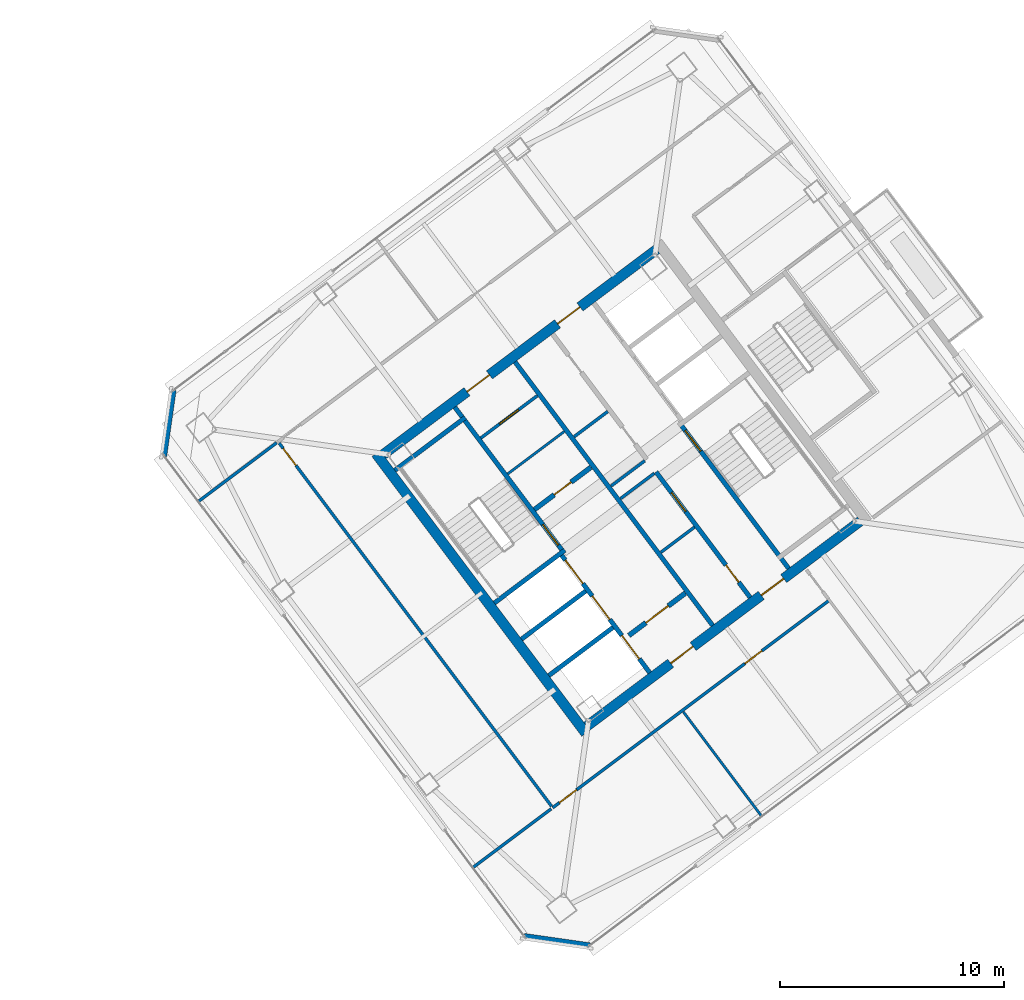
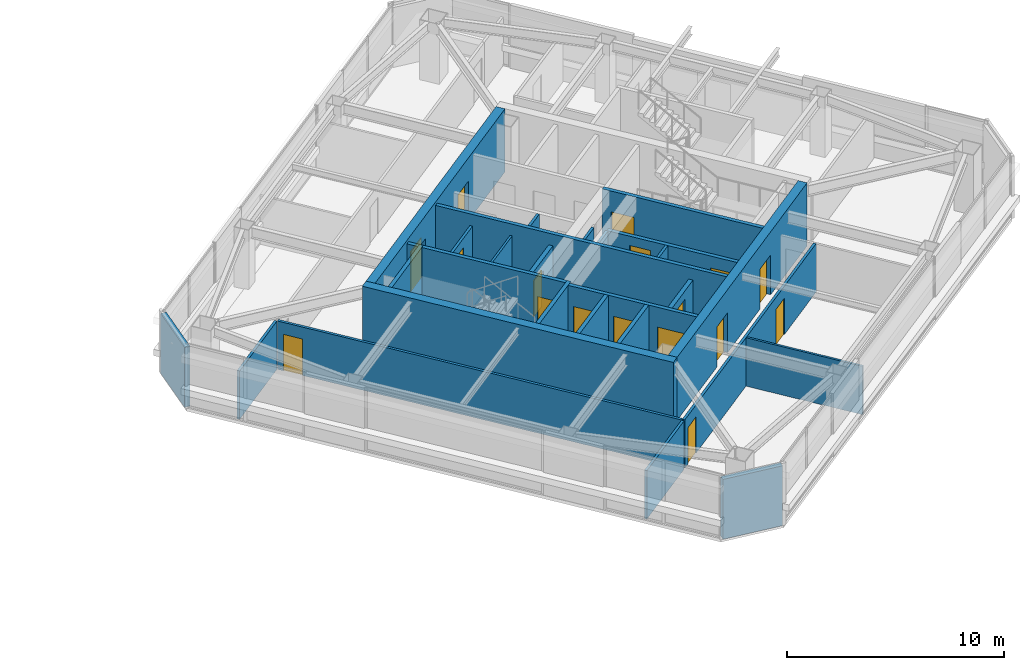
# One storey, part 31 of 39: 27 walls, 17 doors, 17 openings.
"""IFC4 building model written with IfcOpenShell, lengths in metres."""

from ifc_helpers import new_model, si_unit, direction, frame, frame_2d, origin, place, context, subcontext, project, spatial, rectangle, extrude, material, layer, layer_set, type_object, element, fill, save


model = new_model("IFC4")

# Units and contexts
model_context = context("Model", 3, precision=1e-05, world=origin(), true_north=direction((0.0, 1.0)))
body_context = subcontext(model_context, "Body", "Model", "MODEL_VIEW")
ifc_project = project(units=[si_unit("LENGTHUNIT", "METRE"), si_unit("AREAUNIT", "SQUARE_METRE"), si_unit("VOLUMEUNIT", "CUBIC_METRE"), si_unit("PLANEANGLEUNIT", "RADIAN"), si_unit("MASSUNIT", "GRAM", prefix="KILO")], contexts=[model_context])

# Site, building, storey
site_placement = place(None, origin())
site = spatial("IfcSite", under=ifc_project, at=site_placement, CompositionType="ELEMENT")
building_placement = place(site_placement, origin())
building = spatial("IfcBuilding", under=site, at=building_placement, Name="Tashvorn Skyway Center", CompositionType="ELEMENT")
storey_placement = place(building_placement, frame((0.0, 0.0, 214.85009765625)))
storey = spatial("IfcBuildingStorey", under=building, at=storey_placement, Name="L58", CompositionType="ELEMENT", Elevation=214.85009765625)

# Wall
ifc_material_1 = material(Name="Concrete C50/60", Category="concrete")
ifc_layer_1 = layer(ifc_material_1, 0.449951171875)
ifc_layer_set_1 = layer_set([ifc_layer_1], Name="Concrete C50/60")
wall_type_1 = type_object("IfcWallType", Name="WALL-CORE-450", PredefinedType="SHEAR", material=ifc_layer_set_1)
wall_1_placement = place(storey_placement, frame((112.39599609375, 21.047119140625, 0.0), z_axis=(0.0, 0.0, 1.0), x_axis=(-0.600005007985, 0.799996243986, 0.0)))
element("IfcWall", 1, at=wall_1_placement, inside=storey, type_object=wall_type_1, Name="Tower 2 L58 West Core Shear Wall", PredefinedType="SHEAR", context=body_context, shape_type="SweptSolid", body=[
    extrude(rectangle(XDim=15.60009765625, YDim=0.449951171875, at=frame_2d((7.800048828125, 0.0))), origin(), (0.0, 0.0, 1.0), 3.5498046875),
])

# Wall, openings, doors
wall_2_placement = place(storey_placement, frame((124.64892578125, 30.51806640625, 0.0), z_axis=(0.0, 0.0, 1.0), x_axis=(-0.8, -0.6, 0.0)))
wall_2 = element("IfcWall", 2, at=wall_2_placement, inside=storey, type_object=wall_type_1, Name="Tower 2 L58 South Core Shear Wall", PredefinedType="SHEAR", context=body_context, shape_type="SweptSolid", body=[
    extrude(rectangle(XDim=15.260009765625, YDim=0.449951171875, at=frame_2d((7.6298828125, 0.0))), origin(), (0.0, 0.0, 1.0), 3.5498046875),
])
opening_1_placement = place(wall_2_placement, frame((9.330078125, 0.0, 0.0)))
opening_1 = element("IfcOpeningElement", 3, at=opening_1_placement, cuts=wall_2, Name="Opening D-FFL-1250", PredefinedType="OPENING", context=body_context, shape_type="SweptSolid", body=[
    extrude(rectangle(XDim=1.25, YDim=2.25, at=frame_2d((0.625, 1.125))), frame((0.0, 0.23486328125, 0.0), z_axis=(0.0, -1.0, 0.0), x_axis=(1.0, 0.0, 0.0)), (0.0, 0.0, 1.0), 0.469970703125),
])
opening_2_placement = place(wall_2_placement, frame((4.280029296875, 0.0, 0.0)))
opening_2 = element("IfcOpeningElement", 4, at=opening_2_placement, cuts=wall_2, Name="Opening D-FFL-1250", PredefinedType="OPENING", context=body_context, shape_type="SweptSolid", body=[
    extrude(rectangle(XDim=1.25, YDim=2.25, at=frame_2d((0.625, 1.125))), frame((0.0, 0.23486328125, 0.0), z_axis=(0.0, -1.0, 0.0), x_axis=(1.0, 0.0, 0.0)), (0.0, 0.0, 1.0), 0.469970703125),
])
ifc_material_2 = material(Name="Hollow galvanized steel fire door assembly", Category="steel")
door_type_1 = type_object("IfcDoorType", Name="DOOR-FFL-1250", OperationType="NOTDEFINED", PredefinedType="DOOR", material=ifc_material_2)
door_1_placement = place(opening_1_placement, origin())
door_1 = element("IfcDoor", 5, at=door_1_placement, inside=storey, type_object=door_type_1, Name="Tower 2 L58 Core South Firefighting Exit Door", OperationType="SINGLE_SWING_LEFT", OverallHeight=2.25, OverallWidth=1.25, PredefinedType="DOOR", context=body_context, shape_type="SweptSolid", body=[
    extrude(rectangle(XDim=1.25, YDim=2.25, at=frame_2d((0.625, 1.125))), frame((0.0, 0.02490234375, 0.0), z_axis=(0.0, -1.0, 0.0), x_axis=(1.0, 0.0, 0.0)), (0.0, 0.0, 1.0), 0.050048828125),
])
fill(opening_1, door_1)
door_2_placement = place(opening_2_placement, origin())
door_2 = element("IfcDoor", 6, at=door_2_placement, inside=storey, type_object=door_type_1, Name="Tower 2 L58 Core South Lift Lobby Door", OperationType="SINGLE_SWING_RIGHT", OverallHeight=2.25, OverallWidth=1.25, PredefinedType="DOOR", context=body_context, shape_type="SweptSolid", body=[
    extrude(rectangle(XDim=1.25, YDim=2.25, at=frame_2d((0.625, 1.125))), frame((0.0, 0.02490234375, 0.0), z_axis=(0.0, -1.0, 0.0), x_axis=(1.0, 0.0, 0.0)), (0.0, 0.0, 1.0), 0.050048828125),
])
fill(opening_2, door_2)

wall_3_placement = place(storey_placement, frame((103.35107421875, 33.48193359375, 0.0), z_axis=(0.0, 0.0, 1.0), x_axis=(0.8, 0.6, 0.0)))
wall_3 = element("IfcWall", 7, at=wall_3_placement, inside=storey, type_object=wall_type_1, Name="Tower 2 L58 North Core Shear Wall", PredefinedType="SHEAR", context=body_context, shape_type="SweptSolid", body=[
    extrude(rectangle(XDim=15.260009765625, YDim=0.449951171875, at=frame_2d((7.6298828125, 0.0))), origin(), (0.0, 0.0, 1.0), 3.5498046875),
])
opening_3_placement = place(wall_3_placement, frame((4.679931640625, 0.0, 0.0)))
opening_3 = element("IfcOpeningElement", 8, at=opening_3_placement, cuts=wall_3, Name="Opening D-FFL-1250", PredefinedType="OPENING", context=body_context, shape_type="SweptSolid", body=[
    extrude(rectangle(XDim=1.25, YDim=2.25, at=frame_2d((0.625, 1.125))), frame((0.0, 0.23486328125, 0.0), z_axis=(0.0, -1.0, 0.0), x_axis=(1.0, 0.0, 0.0)), (0.0, 0.0, 1.0), 0.469970703125),
])
opening_4_placement = place(wall_3_placement, frame((9.72998046875, 0.0, 0.0)))
opening_4 = element("IfcOpeningElement", 9, at=opening_4_placement, cuts=wall_3, Name="Opening D-FFL-1250", PredefinedType="OPENING", context=body_context, shape_type="SweptSolid", body=[
    extrude(rectangle(XDim=1.25, YDim=2.25, at=frame_2d((0.625, 1.125))), frame((0.0, 0.23486328125, 0.0), z_axis=(0.0, -1.0, 0.0), x_axis=(1.0, 0.0, 0.0)), (0.0, 0.0, 1.0), 0.469970703125),
])
door_3_placement = place(opening_3_placement, origin())
door_3 = element("IfcDoor", 10, at=door_3_placement, inside=storey, type_object=door_type_1, Name="Tower 2 L58 Core North Service Lobby Door", OperationType="SINGLE_SWING_LEFT", OverallHeight=2.25, OverallWidth=1.25, PredefinedType="DOOR", context=body_context, shape_type="SweptSolid", body=[
    extrude(rectangle(XDim=1.25, YDim=2.25, at=frame_2d((0.625, 1.125))), frame((0.0, 0.02490234375, 0.0), z_axis=(0.0, -1.0, 0.0), x_axis=(1.0, 0.0, 0.0)), (0.0, 0.0, 1.0), 0.050048828125),
])
fill(opening_3, door_3)
door_4_placement = place(opening_4_placement, origin())
door_4 = element("IfcDoor", 11, at=door_4_placement, inside=storey, type_object=door_type_1, Name="Tower 2 L58 Core North Lift Lobby Door", OperationType="SINGLE_SWING_RIGHT", OverallHeight=2.25, OverallWidth=1.25, PredefinedType="DOOR", context=body_context, shape_type="SweptSolid", body=[
    extrude(rectangle(XDim=1.25, YDim=2.25, at=frame_2d((0.625, 1.125))), frame((0.0, 0.02490234375, 0.0), z_axis=(0.0, -1.0, 0.0), x_axis=(1.0, 0.0, 0.0)), (0.0, 0.0, 1.0), 0.050048828125),
])
fill(opening_4, door_4)

# Walls
ifc_material_3 = material(Name="Precast concrete C40/50", Category="concrete")
ifc_layer_2 = layer(ifc_material_3, 0.280029296875)
ifc_layer_set_2 = layer_set([ifc_layer_2], Name="Precast concrete C40/50")
wall_type_2 = type_object("IfcWallType", Name="WALL-EXT-280", PredefinedType="SOLIDWALL", material=ifc_layer_set_2)
for number, where, z_axis, x_axis, name in (
    (12, (112.580078125, 11.56005859375, 0.0), (0.0, 0.0, 1.0), (-0.989954425158, 0.14138683146, 0.0), "Tower 2 L58 SW Precast Chamfer Wall"),
    (13, (93.56005859375, 33.419921875, 0.0), (0.0, 0.0, 1.0), (0.14138683146, 0.989954425158, 0.0), "Tower 2 L58 NW Precast Chamfer Wall"),
):
    element("IfcWall", number, at=place(storey_placement, frame(where, z_axis=z_axis, x_axis=x_axis)), inside=storey, type_object=wall_type_2, Name=name, PredefinedType="SOLIDWALL", context=body_context, shape_type="SweptSolid", body=[
        extrude(rectangle(XDim=2.969970703125, YDim=0.280029296875, at=frame_2d((1.48486328125, 0.0))), origin(), (0.0, 0.0, 1.0), 3.369873046875),
    ])

# Wall, opening, door
ifc_material_4 = material(Name="Concrete C40/50", Category="concrete")
ifc_layer_3 = layer(ifc_material_4, 0.219970703125)
ifc_layer_set_3 = layer_set([ifc_layer_3], Name="Concrete C40/50")
wall_type_3 = type_object("IfcWallType", Name="WALL-FFL-220", PredefinedType="SOLIDWALL", material=ifc_layer_set_3)
wall_4_placement = place(storey_placement, frame((110.10400390625, 31.028076171875, 0.0), z_axis=(0.0, 0.0, 1.0), x_axis=(0.800018601094, 0.59997519774, 0.0)))
wall_4 = element("IfcWall", 14, at=wall_4_placement, inside=storey, type_object=wall_type_3, Name="Tower 2 L58 Firefighting Lobby North Wall", PredefinedType="SOLIDWALL", context=body_context, shape_type="SweptSolid", body=[
    extrude(rectangle(XDim=3.14990234375, YDim=0.219970703125, at=frame_2d((1.574951171875, 0.0))), origin(), (0.0, 0.0, 1.0), 2.722900390625),
])
opening_5_placement = place(wall_4_placement, frame((1.10009765625, 0.0, 0.0)))
opening_5 = element("IfcOpeningElement", 15, at=opening_5_placement, cuts=wall_4, Name="Opening D-RT-950", PredefinedType="OPENING", context=body_context, shape_type="SweptSolid", body=[
    extrude(rectangle(XDim=0.949951171875, YDim=2.050048828125, at=frame_2d((0.47509765625, 1.02490234375))), frame((0.0, 0.119873046875, 0.0), z_axis=(0.0, -1.0, 0.0), x_axis=(1.0, 0.0, 0.0)), (0.0, 0.0, 1.0), 0.239990234375),
])
door_type_2 = type_object("IfcDoorType", Name="DOOR-RATED-950", OperationType="NOTDEFINED", PredefinedType="DOOR", material=ifc_material_2)
door_5_placement = place(opening_5_placement, origin())
door_5 = element("IfcDoor", 16, at=door_5_placement, inside=storey, type_object=door_type_2, Name="Tower 2 L58 Core Linen Store Door", OperationType="SINGLE_SWING_LEFT", OverallHeight=2.050048828125, OverallWidth=0.949951171875, PredefinedType="DOOR", context=body_context, shape_type="SweptSolid", body=[
    extrude(rectangle(XDim=0.949951171875, YDim=2.050048828125, at=frame_2d((0.47509765625, 1.02490234375))), frame((0.0, 0.02490234375, 0.0), z_axis=(0.0, -1.0, 0.0), x_axis=(1.0, 0.0, 0.0)), (0.0, 0.0, 1.0), 0.050048828125),
])
fill(opening_5, door_5)

wall_5_placement = place(storey_placement, frame((114.31591796875, 25.412109375, 0.0), z_axis=(0.0, 0.0, 1.0), x_axis=(0.800018601094, 0.59997519774, 0.0)))
wall_5 = element("IfcWall", 17, at=wall_5_placement, inside=storey, type_object=wall_type_3, Name="Tower 2 L58 Firefighting Lobby South Wall", PredefinedType="SOLIDWALL", context=body_context, shape_type="SweptSolid", body=[
    extrude(rectangle(XDim=3.14990234375, YDim=0.219970703125, at=frame_2d((1.574951171875, 0.0))), origin(), (0.0, 0.0, 1.0), 2.722900390625),
])
opening_6_placement = place(wall_5_placement, frame((0.949951171875, 0.0, 0.0)))
opening_6 = element("IfcOpeningElement", 18, at=opening_6_placement, cuts=wall_5, Name="Opening D-FFL-1250", PredefinedType="OPENING", context=body_context, shape_type="SweptSolid", body=[
    extrude(rectangle(XDim=1.25, YDim=2.25, at=frame_2d((0.625, 1.125))), frame((0.0, 0.119873046875, 0.0), z_axis=(0.0, -1.0, 0.0), x_axis=(1.0, 0.0, 0.0)), (0.0, 0.0, 1.0), 0.239990234375),
])
door_6_placement = place(opening_6_placement, origin())
door_6 = element("IfcDoor", 19, at=door_6_placement, inside=storey, type_object=door_type_1, Name="Tower 2 L58 Firefighting Lobby Egress Door", OperationType="SINGLE_SWING_LEFT", OverallHeight=2.25, OverallWidth=1.25, PredefinedType="DOOR", context=body_context, shape_type="SweptSolid", body=[
    extrude(rectangle(XDim=1.25, YDim=2.25, at=frame_2d((0.625, 1.125))), frame((0.0, 0.02490234375, 0.0), z_axis=(0.0, -1.0, 0.0), x_axis=(1.0, 0.0, 0.0)), (0.0, 0.0, 1.0), 0.050048828125),
])
fill(opening_6, door_6)

# Wall
ifc_material_5 = material(Name="Gypsum board on cold-formed steel stud framing", Category="steel")
ifc_layer_4 = layer(ifc_material_5, 0.110107421875)
ifc_layer_set_4 = layer_set([ifc_layer_4], Name="Gypsum board on cold-formed steel stud framing")
wall_type_4 = type_object("IfcWallType", Name="WALL-PART-110", PredefinedType="PARTITIONING", material=ifc_layer_set_4)
wall_6_placement = place(storey_placement, frame((120.248046875, 17.3359375, 0.0), z_axis=(0.0, 0.0, 1.0), x_axis=(-0.6, 0.8, 0.0)))
element("IfcWall", 20, at=wall_6_placement, inside=storey, type_object=wall_type_4, Name="Tower 2 L58 South Suite Partition 1", PredefinedType="PARTITIONING", context=body_context, shape_type="SweptSolid", body=[
    extrude(rectangle(XDim=5.830078125, YDim=0.110107421875, at=frame_2d((2.9150390625, 0.0))), origin(), (0.0, 0.0, 1.0), 2.722900390625),
])

# Wall, openings, doors
ifc_layer_5 = layer(ifc_material_5, 0.135009765625)
ifc_layer_set_5 = layer_set([ifc_layer_5], Name="Gypsum board on cold-formed steel stud framing")
wall_type_5 = type_object("IfcWallType", Name="WALL-PART-135", PredefinedType="PARTITIONING", material=ifc_layer_set_5)
wall_7_placement = place(storey_placement, frame((123.261962890625, 26.98388671875, 0.0), z_axis=(0.0, 0.0, 1.0), x_axis=(-0.800005696094, -0.599992405132, 0.0)))
wall_7 = element("IfcWall", 21, at=wall_7_placement, inside=storey, type_object=wall_type_5, Name="Tower 2 L58 South Suite Wall", PredefinedType="PARTITIONING", context=body_context, shape_type="SweptSolid", body=[
    extrude(rectangle(XDim=15.429931640625, YDim=0.135009765625, at=frame_2d((7.71484375, 0.0))), origin(), (0.0, 0.0, 1.0), 2.722900390625),
])
opening_7_placement = place(wall_7_placement, frame((14.10009765625, 0.0, 0.0)))
opening_7 = element("IfcOpeningElement", 22, at=opening_7_placement, cuts=wall_7, Name="Opening D-INT-950", PredefinedType="OPENING", context=body_context, shape_type="SweptSolid", body=[
    extrude(rectangle(XDim=0.949951171875, YDim=2.050048828125, at=frame_2d((0.47509765625, 1.02490234375))), frame((0.0, 0.077392578125, 0.0), z_axis=(0.0, -1.0, 0.0), x_axis=(1.0, 0.0, 0.0)), (0.0, 0.0, 1.0), 0.155029296875),
])
opening_8_placement = place(wall_7_placement, frame((3.7548828125, 0.0, 0.0)))
opening_8 = element("IfcOpeningElement", 23, at=opening_8_placement, cuts=wall_7, Name="Opening D-INT-950", PredefinedType="OPENING", context=body_context, shape_type="SweptSolid", body=[
    extrude(rectangle(XDim=0.949951171875, YDim=2.050048828125, at=frame_2d((0.47509765625, 1.02490234375))), frame((0.0, 0.077392578125, 0.0), z_axis=(0.0, -1.0, 0.0), x_axis=(1.0, 0.0, 0.0)), (0.0, 0.0, 1.0), 0.155029296875),
])
ifc_material_6 = material(Name="Solid-core architectural oak veneer door")
door_type_3 = type_object("IfcDoorType", Name="DOOR-INT-950", OperationType="NOTDEFINED", PredefinedType="DOOR", material=ifc_material_6)
door_7_placement = place(opening_7_placement, origin())
door_7 = element("IfcDoor", 24, at=door_7_placement, inside=storey, type_object=door_type_3, Name="Tower 2 L58 Conference Room Door", OperationType="SINGLE_SWING_LEFT", OverallHeight=2.050048828125, OverallWidth=0.949951171875, PredefinedType="DOOR", context=body_context, shape_type="SweptSolid", body=[
    extrude(rectangle(XDim=0.949951171875, YDim=2.050048828125, at=frame_2d((0.47509765625, 1.02490234375))), frame((0.0, 0.02490234375, 0.0), z_axis=(0.0, -1.0, 0.0), x_axis=(1.0, 0.0, 0.0)), (0.0, 0.0, 1.0), 0.050048828125),
])
fill(opening_7, door_7)
door_8_placement = place(opening_8_placement, origin())
door_8 = element("IfcDoor", 25, at=door_8_placement, inside=storey, type_object=door_type_3, Name="Tower 2 L58 Collaborative Studio Door", OperationType="SINGLE_SWING_RIGHT", OverallHeight=2.050048828125, OverallWidth=0.949951171875, PredefinedType="DOOR", context=body_context, shape_type="SweptSolid", body=[
    extrude(rectangle(XDim=0.949951171875, YDim=2.050048828125, at=frame_2d((0.47509765625, 1.02490234375))), frame((0.0, 0.02490234375, 0.0), z_axis=(0.0, -1.0, 0.0), x_axis=(1.0, 0.0, 0.0)), (0.0, 0.0, 1.0), 0.050048828125),
])
fill(opening_8, door_8)

# Wall, opening, door
wall_8_placement = place(storey_placement, frame((110.8701171875, 17.7900390625, 0.0), z_axis=(0.0, 0.0, 1.0), x_axis=(-0.6, 0.8, 0.0)))
wall_8 = element("IfcWall", 26, at=wall_8_placement, inside=storey, type_object=wall_type_5, Name="Tower 2 L58 West Inner Suite Wall", PredefinedType="PARTITIONING", context=body_context, shape_type="SweptSolid", body=[
    extrude(rectangle(XDim=20.260009765625, YDim=0.135009765625, at=frame_2d((10.1298828125, 0.0))), origin(), (0.0, 0.0, 1.0), 2.722900390625),
])
opening_9_placement = place(wall_8_placement, frame((19.010009765625, 0.0, 0.0)))
opening_9 = element("IfcOpeningElement", 27, at=opening_9_placement, cuts=wall_8, Name="Opening D-INT-950", PredefinedType="OPENING", context=body_context, shape_type="SweptSolid", body=[
    extrude(rectangle(XDim=0.949951171875, YDim=2.050048828125, at=frame_2d((0.47509765625, 1.02490234375))), frame((0.0, 0.077392578125, 0.0), z_axis=(0.0, -1.0, 0.0), x_axis=(1.0, 0.0, 0.0)), (0.0, 0.0, 1.0), 0.155029296875),
])
door_9_placement = place(opening_9_placement, origin())
door_9 = element("IfcDoor", 28, at=door_9_placement, inside=storey, type_object=door_type_3, Name="Tower 2 L58 Public Restroom Door", OperationType="SINGLE_SWING_RIGHT", OverallHeight=2.050048828125, OverallWidth=0.949951171875, PredefinedType="DOOR", context=body_context, shape_type="SweptSolid", body=[
    extrude(rectangle(XDim=0.949951171875, YDim=2.050048828125, at=frame_2d((0.47509765625, 1.02490234375))), frame((0.0, 0.02490234375, 0.0), z_axis=(0.0, -1.0, 0.0), x_axis=(1.0, 0.0, 0.0)), (0.0, 0.0, 1.0), 0.050048828125),
])
fill(opening_9, door_9)

# Walls
wall_9_placement = place(storey_placement, frame((98.60205078125, 34.013916015625, 0.0), z_axis=(0.0, 0.0, 1.0), x_axis=(-0.800026815742, -0.599964244012, 0.0)))
element("IfcWall", 29, at=wall_9_placement, inside=storey, type_object=wall_type_5, Name="Tower 2 L58 West Suite North Wall", PredefinedType="PARTITIONING", context=body_context, shape_type="SweptSolid", body=[
    extrude(rectangle(XDim=4.369873046875, YDim=0.135009765625, at=frame_2d((2.18505859375, 0.0))), origin(), (0.0, 0.0, 1.0), 2.722900390625),
])
wall_10_placement = place(storey_placement, frame((107.35791015625, 15.055908203125, 0.0), z_axis=(0.0, 0.0, 1.0), x_axis=(0.8, 0.6, 0.0)))
element("IfcWall", 30, at=wall_10_placement, inside=storey, type_object=wall_type_5, Name="Tower 2 L58 West Suite South Wall", PredefinedType="PARTITIONING", context=body_context, shape_type="SweptSolid", body=[
    extrude(rectangle(XDim=4.3701171875, YDim=0.135009765625, at=frame_2d((2.18505859375, 0.0))), origin(), (0.0, 0.0, 1.0), 2.722900390625),
])
ifc_layer_6 = layer(ifc_material_5, 0.110107421875)
ifc_layer_set_6 = layer_set([ifc_layer_6], Name="Gypsum board on cold-formed steel stud framing")
wall_type_6 = type_object("IfcWallType", Name="WALL-RATED-110", PredefinedType="PARTITIONING", material=ifc_layer_set_6)
wall_11_placement = place(storey_placement, frame((108.909912109375, 32.6201171875, 0.0), z_axis=(0.0, 0.0, 1.0), x_axis=(0.800018601094, 0.59997519774, 0.0)))
element("IfcWall", 31, at=wall_11_placement, inside=storey, type_object=wall_type_6, Name="Tower 2 L58 Core Transverse Wall", PredefinedType="PARTITIONING", context=body_context, shape_type="SweptSolid", body=[
    extrude(rectangle(XDim=3.14990234375, YDim=0.110107421875, at=frame_2d((1.574951171875, 0.0))), origin(), (0.0, 0.0, 1.0), 2.722900390625),
])

# Wall, opening, door
ifc_layer_7 = layer(ifc_material_5, 0.135009765625)
ifc_layer_set_7 = layer_set([ifc_layer_7], Name="Gypsum board on cold-formed steel stud framing")
wall_type_7 = type_object("IfcWallType", Name="WALL-RATED-135", PredefinedType="PARTITIONING", material=ifc_layer_set_7)
wall_12_placement = place(storey_placement, frame((107.7099609375, 34.219970703125, 0.0), z_axis=(0.0, 0.0, 1.0), x_axis=(0.799981399002, 0.60002480053, 0.0)))
wall_12 = element("IfcWall", 32, at=wall_12_placement, inside=storey, type_object=wall_type_7, Name="Tower 2 L58 Core Service Lobby Wall", PredefinedType="PARTITIONING", context=body_context, shape_type="SweptSolid", body=[
    extrude(rectangle(XDim=3.150146484375, YDim=0.135009765625, at=frame_2d((1.5751953125, 0.0))), origin(), (0.0, 0.0, 1.0), 2.722900390625),
])
opening_10_placement = place(wall_12_placement, frame((1.050048828125, 0.0, 0.0)))
opening_10 = element("IfcOpeningElement", 33, at=opening_10_placement, cuts=wall_12, Name="Opening D-RT-1050", PredefinedType="OPENING", context=body_context, shape_type="SweptSolid", body=[
    extrude(rectangle(XDim=1.050048828125, YDim=2.199951171875, at=frame_2d((0.52490234375, 1.10009765625))), frame((0.0, 0.077392578125, 0.0), z_axis=(0.0, -1.0, 0.0), x_axis=(1.0, 0.0, 0.0)), (0.0, 0.0, 1.0), 0.155029296875),
])
door_type_4 = type_object("IfcDoorType", Name="DOOR-RATED-1050", OperationType="NOTDEFINED", PredefinedType="DOOR", material=ifc_material_2)
door_10_placement = place(opening_10_placement, origin())
door_10 = element("IfcDoor", 34, at=door_10_placement, inside=storey, type_object=door_type_4, Name="Tower 2 L58 Core Accessible WC Door", OperationType="SINGLE_SWING_RIGHT", OverallHeight=2.199951171875, OverallWidth=1.050048828125, PredefinedType="DOOR", context=body_context, shape_type="SweptSolid", body=[
    extrude(rectangle(XDim=1.050048828125, YDim=2.199951171875, at=frame_2d((0.52490234375, 1.10009765625))), frame((0.0, 0.02490234375, 0.0), z_axis=(0.0, -1.0, 0.0), x_axis=(1.0, 0.0, 0.0)), (0.0, 0.0, 1.0), 0.050048828125),
])
fill(opening_10, door_10)

# Walls
for number, where, z_axis, x_axis, name in (
    (35, (113.946044921875, 31.52197265625, 0.0), (0.0, 0.0, 1.0), (0.8, 0.6, 0.0), "Tower 2 L58 Core Room Partition"),
    (36, (115.74609375, 29.1220703125, 0.0), (0.0, 0.0, 1.0), (0.8, 0.6, 0.0), "Tower 2 L58 Freed Core Partition"),
):
    element("IfcWall", number, at=place(storey_placement, frame(where, z_axis=z_axis, x_axis=x_axis)), inside=storey, type_object=wall_type_7, Name=name, PredefinedType="PARTITIONING", context=body_context, shape_type="SweptSolid", body=[
        extrude(rectangle(XDim=1.8798828125, YDim=0.135009765625, at=frame_2d((0.93994140625, 0.0))), origin(), (0.0, 0.0, 1.0), 2.722900390625),
    ])
wall_13_placement = place(storey_placement, frame((113.52587890625, 32.08203125, 0.0), z_axis=(0.0, 0.0, 1.0), x_axis=(0.800046745961, 0.599937666993, 0.0)))
element("IfcWall", 37, at=wall_13_placement, inside=storey, type_object=wall_type_7, Name="Tower 2 L58 Core Room Partition", PredefinedType="PARTITIONING", context=body_context, shape_type="SweptSolid", body=[
    extrude(rectangle(XDim=1.880126953125, YDim=0.135009765625, at=frame_2d((0.93994140625, 0.0))), origin(), (0.0, 0.0, 1.0), 2.722900390625),
])
wall_14_placement = place(storey_placement, frame((111.8759765625, 34.281982421875, 0.0), z_axis=(0.0, 0.0, 1.0), x_axis=(0.8, 0.6, 0.0)))
element("IfcWall", 38, at=wall_14_placement, inside=storey, type_object=wall_type_7, Name="Tower 2 L58 Freed Mid-Rise Partition", PredefinedType="PARTITIONING", context=body_context, shape_type="SweptSolid", body=[
    extrude(rectangle(XDim=1.8798828125, YDim=0.135009765625, at=frame_2d((0.93994140625, 0.0))), origin(), (0.0, 0.0, 1.0), 2.722900390625),
])
ifc_layer_8 = layer(ifc_material_4, 0.199951171875)
ifc_layer_set_8 = layer_set([ifc_layer_8], Name="Concrete C40/50")
wall_type_8 = type_object("IfcWallType", Name="WALL-SHAFT-200", PredefinedType="SOLIDWALL", material=ifc_layer_set_8)
for number, where, z_axis, x_axis, name in (
    (39, (110.74609375, 23.6220703125, 0.0), (0.0, 0.0, 1.0), (0.800008183455, 0.599989088572, 0.0), "Tower 2 L58 FSAE Shaft Divider"),
    (40, (109.528076171875, 25.24609375, 0.0), (0.0, 0.0, 1.0), (0.800008183455, 0.599989088572, 0.0), "Tower 2 L58 FSAE Shaft Divider"),
):
    element("IfcWall", number, at=place(storey_placement, frame(where, z_axis=z_axis, x_axis=x_axis)), inside=storey, type_object=wall_type_8, Name=name, PredefinedType="SOLIDWALL", context=body_context, shape_type="SweptSolid", body=[
        extrude(rectangle(XDim=3.580078125, YDim=0.199951171875, at=frame_2d((1.7900390625, 0.0))), origin(), (0.0, 0.0, 1.0), 3.369873046875),
    ])

# Wall, openings, doors
wall_15_placement = place(storey_placement, frame((119.72998046875, 27.110107421875, 0.0), z_axis=(0.0, 0.0, 1.0), x_axis=(-0.600005580459, 0.799995814625, 0.0)))
wall_15 = element("IfcWall", 41, at=wall_15_placement, inside=storey, type_object=wall_type_8, Name="Tower 2 L58 Low-Rise Core Wall", PredefinedType="SOLIDWALL", context=body_context, shape_type="SweptSolid", body=[
    extrude(rectangle(XDim=6.999755859375, YDim=0.199951171875, at=frame_2d((3.5, 0.0))), origin(), (0.0, 0.0, 1.0), 2.722900390625),
])
opening_11_placement = place(wall_15_placement, frame((0.85009765625, 0.0, 0.0)))
opening_11 = element("IfcOpeningElement", 42, at=opening_11_placement, cuts=wall_15, Name="Opening D-RT-950", PredefinedType="OPENING", context=body_context, shape_type="SweptSolid", body=[
    extrude(rectangle(XDim=0.949951171875, YDim=2.050048828125, at=frame_2d((0.47509765625, 1.02490234375))), frame((0.0, 0.10986328125, 0.0), z_axis=(0.0, -1.0, 0.0), x_axis=(1.0, 0.0, 0.0)), (0.0, 0.0, 1.0), 0.219970703125),
])
opening_12_placement = place(wall_15_placement, frame((4.800048828125, 0.0, 0.0)))
opening_12 = element("IfcOpeningElement", 43, at=opening_12_placement, cuts=wall_15, Name="Opening D-RT-1050", PredefinedType="OPENING", context=body_context, shape_type="SweptSolid", body=[
    extrude(rectangle(XDim=1.050048828125, YDim=2.199951171875, at=frame_2d((0.52490234375, 1.10009765625))), frame((0.0, 0.10986328125, 0.0), z_axis=(0.0, -1.0, 0.0), x_axis=(1.0, 0.0, 0.0)), (0.0, 0.0, 1.0), 0.219970703125),
])
door_11_placement = place(opening_12_placement, origin())
door_11 = element("IfcDoor", 44, at=door_11_placement, inside=storey, type_object=door_type_4, Name="Tower 2 L58 Freed Core Room Door", OperationType="SINGLE_SWING_RIGHT", OverallHeight=2.199951171875, OverallWidth=1.050048828125, PredefinedType="DOOR", context=body_context, shape_type="SweptSolid", body=[
    extrude(rectangle(XDim=1.050048828125, YDim=2.199951171875, at=frame_2d((0.52490234375, 1.10009765625))), frame((0.0, 0.02490234375, 0.0), z_axis=(0.0, -1.0, 0.0), x_axis=(1.0, 0.0, 0.0)), (0.0, 0.0, 1.0), 0.050048828125),
])
fill(opening_12, door_11)
door_12_placement = place(opening_11_placement, origin())
door_12 = element("IfcDoor", 45, at=door_12_placement, inside=storey, type_object=door_type_2, Name="Tower 2 L58 Core Print Room Door", OperationType="SINGLE_SWING_LEFT", OverallHeight=2.050048828125, OverallWidth=0.949951171875, PredefinedType="DOOR", context=body_context, shape_type="SweptSolid", body=[
    extrude(rectangle(XDim=0.949951171875, YDim=2.050048828125, at=frame_2d((0.47509765625, 1.02490234375))), frame((0.0, 0.02490234375, 0.0), z_axis=(0.0, -1.0, 0.0), x_axis=(1.0, 0.0, 0.0)), (0.0, 0.0, 1.0), 0.050048828125),
])
fill(opening_11, door_12)

# Wall, opening, door
ifc_layer_9 = layer(ifc_material_4, 0.199951171875)
ifc_layer_set_9 = layer_set([ifc_layer_9], Name="Concrete C40/50")
wall_type_9 = type_object("IfcWallType", Name="WALL-STSHF-200", PredefinedType="SHEAR", material=ifc_layer_set_9)
wall_16_placement = place(storey_placement, frame((111.43994140625, 29.080078125, 0.0), z_axis=(0.0, 0.0, 1.0), x_axis=(-0.59999041401, 0.800007189403, 0.0)))
wall_16 = element("IfcWall", 46, at=wall_16_placement, inside=storey, type_object=wall_type_9, Name="Tower 2 L58 Stair 1 Enclosure Wall", PredefinedType="SHEAR", context=body_context, shape_type="SweptSolid", body=[
    extrude(rectangle(XDim=8.14990234375, YDim=0.199951171875, at=frame_2d((4.074951171875, 0.0))), origin(), (0.0, 0.0, 1.0), 3.369873046875),
])
opening_13_placement = place(wall_16_placement, frame((0.449951171875, 0.0, 0.0)))
opening_13 = element("IfcOpeningElement", 47, at=opening_13_placement, cuts=wall_16, Name="Opening D-ST-1150", PredefinedType="OPENING", context=body_context, shape_type="SweptSolid", body=[
    extrude(rectangle(XDim=1.14990234375, YDim=2.199951171875, at=frame_2d((0.574951171875, 1.10009765625))), frame((0.0, 0.10986328125, 0.0), z_axis=(0.0, -1.0, 0.0), x_axis=(1.0, 0.0, 0.0)), (0.0, 0.0, 1.0), 0.219970703125),
])
door_type_5 = type_object("IfcDoorType", Name="DOOR-STAIR-1150", OperationType="NOTDEFINED", PredefinedType="DOOR", material=ifc_material_2)
door_13_placement = place(opening_13_placement, origin())
door_13 = element("IfcDoor", 48, at=door_13_placement, inside=storey, type_object=door_type_5, Name="Tower 2 L58 Exit Stair 1 Door", OperationType="SINGLE_SWING_RIGHT", OverallHeight=2.199951171875, OverallWidth=1.14990234375, PredefinedType="DOOR", context=body_context, shape_type="SweptSolid", body=[
    extrude(rectangle(XDim=1.14990234375, YDim=2.199951171875, at=frame_2d((0.574951171875, 1.10009765625))), frame((0.0, 0.02490234375, 0.0), z_axis=(0.0, -1.0, 0.0), x_axis=(1.0, 0.0, 0.0)), (0.0, 0.0, 1.0), 0.050048828125),
])
fill(opening_13, door_13)

# Walls
for number, where, z_axis, x_axis, name in (
    (49, (108.31591796875, 26.862060546875, 0.0), (0.0, 0.0, 1.0), (0.800014909178, 0.599980120581, 0.0), "Tower 2 L58 Stair 1 South Wall"),
    (50, (103.8759765625, 32.781982421875, 0.0), (0.0, 0.0, 1.0), (0.800014909178, 0.599980120581, 0.0), "Tower 2 L58 Stair 1 North Wall"),
):
    element("IfcWall", number, at=place(storey_placement, frame(where, z_axis=z_axis, x_axis=x_axis)), inside=storey, type_object=wall_type_9, Name=name, PredefinedType="SHEAR", context=body_context, shape_type="SweptSolid", body=[
        extrude(rectangle(XDim=3.929931640625, YDim=0.199951171875, at=frame_2d((1.96484375, 0.0))), origin(), (0.0, 0.0, 1.0), 3.369873046875),
    ])

# Wall, opening, door
wall_17_placement = place(storey_placement, frame((116.56005859375, 34.919921875, 0.0), z_axis=(0.0, 0.0, 1.0), x_axis=(0.59999041401, -0.800007189403, 0.0)))
wall_17 = element("IfcWall", 51, at=wall_17_placement, inside=storey, type_object=wall_type_9, Name="Tower 2 L58 Stair 2 Enclosure Wall", PredefinedType="SHEAR", context=body_context, shape_type="SweptSolid", body=[
    extrude(rectangle(XDim=8.14990234375, YDim=0.199951171875, at=frame_2d((4.074951171875, 0.0))), origin(), (0.0, 0.0, 1.0), 3.369873046875),
])
opening_14_placement = place(wall_17_placement, frame((0.449951171875, 0.0, 0.0)))
opening_14 = element("IfcOpeningElement", 52, at=opening_14_placement, cuts=wall_17, Name="Opening D-ST-1150", PredefinedType="OPENING", context=body_context, shape_type="SweptSolid", body=[
    extrude(rectangle(XDim=1.14990234375, YDim=2.199951171875, at=frame_2d((0.574951171875, 1.10009765625))), frame((0.0, 0.10986328125, 0.0), z_axis=(0.0, -1.0, 0.0), x_axis=(1.0, 0.0, 0.0)), (0.0, 0.0, 1.0), 0.219970703125),
])
door_14_placement = place(opening_14_placement, origin())
door_14 = element("IfcDoor", 53, at=door_14_placement, inside=storey, type_object=door_type_5, Name="Tower 2 L58 Exit Stair 2 Door", OperationType="SINGLE_SWING_RIGHT", OverallHeight=2.199951171875, OverallWidth=1.14990234375, PredefinedType="DOOR", context=body_context, shape_type="SweptSolid", body=[
    extrude(rectangle(XDim=1.14990234375, YDim=2.199951171875, at=frame_2d((0.574951171875, 1.10009765625))), frame((0.0, 0.02490234375, 0.0), z_axis=(0.0, -1.0, 0.0), x_axis=(1.0, 0.0, 0.0)), (0.0, 0.0, 1.0), 0.050048828125),
])
fill(opening_14, door_14)

# Wall
wall_18_placement = place(storey_placement, frame((118.05810546875, 25.85595703125, 0.0), z_axis=(0.0, 0.0, 1.0), x_axis=(-0.600002657301, 0.799998007018, 0.0)))
element("IfcWall", 54, at=wall_18_placement, inside=storey, type_object=wall_type_9, Name="Tower 2 L58 Firefighting Lobby East Smoke Barrier", PredefinedType="SHEAR", context=body_context, shape_type="SweptSolid", body=[
    extrude(rectangle(XDim=14.699951171875, YDim=0.199951171875, at=frame_2d((7.35009765625, 0.0))), origin(), (0.0, 0.0, 1.0), 3.369873046875),
])

# Wall, openings, doors
wall_19_placement = place(storey_placement, frame((115.25, 23.75, 0.0), z_axis=(0.0, 0.0, 1.0), x_axis=(-0.599994036198, 0.800004472816, 0.0)))
wall_19 = element("IfcWall", 55, at=wall_19_placement, inside=storey, type_object=wall_type_9, Name="Tower 2 L58 FSAE and Goods Shaft Front Wall", PredefinedType="SHEAR", context=body_context, shape_type="SweptSolid", body=[
    extrude(rectangle(XDim=6.550048828125, YDim=0.199951171875, at=frame_2d((3.27490234375, 0.0))), origin(), (0.0, 0.0, 1.0), 3.369873046875),
])
opening_15_placement = place(wall_19_placement, frame((4.97509765625, 0.0, 0.0)))
opening_15 = element("IfcOpeningElement", 56, at=opening_15_placement, cuts=wall_19, Name="Opening LD-FF-T2-1-L58", PredefinedType="OPENING", context=body_context, shape_type="SweptSolid", body=[
    extrude(rectangle(XDim=1.300048828125, YDim=2.25, at=frame_2d((0.64990234375, 1.125))), frame((0.0, 0.10986328125, 0.0), z_axis=(0.0, -1.0, 0.0), x_axis=(1.0, 0.0, 0.0)), (0.0, 0.0, 1.0), 0.219970703125),
])
opening_16_placement = place(wall_19_placement, frame((2.97509765625, 0.0, 0.0)))
opening_16 = element("IfcOpeningElement", 57, at=opening_16_placement, cuts=wall_19, Name="Opening LD-FF-T2-2-L58", PredefinedType="OPENING", context=body_context, shape_type="SweptSolid", body=[
    extrude(rectangle(XDim=1.300048828125, YDim=2.25, at=frame_2d((0.64990234375, 1.125))), frame((0.0, 0.10986328125, 0.0), z_axis=(0.0, -1.0, 0.0), x_axis=(1.0, 0.0, 0.0)), (0.0, 0.0, 1.0), 0.219970703125),
])
opening_17_placement = place(wall_19_placement, frame((0.77490234375, 0.0, 0.0)))
opening_17 = element("IfcOpeningElement", 58, at=opening_17_placement, cuts=wall_19, Name="Opening LD-GD-T2-1-L58", PredefinedType="OPENING", context=body_context, shape_type="SweptSolid", body=[
    extrude(rectangle(XDim=1.300048828125, YDim=2.25, at=frame_2d((0.64990234375, 1.125))), frame((0.0, 0.10986328125, 0.0), z_axis=(0.0, -1.0, 0.0), x_axis=(1.0, 0.0, 0.0)), (0.0, 0.0, 1.0), 0.219970703125),
])
ifc_material_7 = material(Name="Stainless steel heavy-duty landing door", Category="steel")
door_type_6 = type_object("IfcDoorType", Name="DOOR-LIFT-1300", OperationType="SLIDING_TO_LEFT", PredefinedType="DOOR", material=ifc_material_7)
door_15_placement = place(opening_15_placement, origin())
door_15 = element("IfcDoor", 59, at=door_15_placement, inside=storey, type_object=door_type_6, Name="Lift FF-T2-1 L58 Landing Door", OperationType="SLIDING_TO_LEFT", OverallHeight=2.25, OverallWidth=1.300048828125, PredefinedType="DOOR", context=body_context, shape_type="SweptSolid", body=[
    extrude(rectangle(XDim=1.300048828125, YDim=2.25, at=frame_2d((0.64990234375, 1.125))), frame((0.0, 0.02490234375, 0.0), z_axis=(0.0, -1.0, 0.0), x_axis=(1.0, 0.0, 0.0)), (0.0, 0.0, 1.0), 0.050048828125),
])
fill(opening_15, door_15)
door_16_placement = place(opening_16_placement, origin())
door_16 = element("IfcDoor", 60, at=door_16_placement, inside=storey, type_object=door_type_6, Name="Lift FF-T2-2 L58 Landing Door", OperationType="SLIDING_TO_LEFT", OverallHeight=2.25, OverallWidth=1.300048828125, PredefinedType="DOOR", context=body_context, shape_type="SweptSolid", body=[
    extrude(rectangle(XDim=1.300048828125, YDim=2.25, at=frame_2d((0.64990234375, 1.125))), frame((0.0, 0.02490234375, 0.0), z_axis=(0.0, -1.0, 0.0), x_axis=(1.0, 0.0, 0.0)), (0.0, 0.0, 1.0), 0.050048828125),
])
fill(opening_16, door_16)
door_17_placement = place(opening_17_placement, origin())
door_17 = element("IfcDoor", 61, at=door_17_placement, inside=storey, type_object=door_type_6, Name="Lift GD-T2-1 L58 Landing Door", OperationType="SLIDING_TO_LEFT", OverallHeight=2.25, OverallWidth=1.300048828125, PredefinedType="DOOR", context=body_context, shape_type="SweptSolid", body=[
    extrude(rectangle(XDim=1.300048828125, YDim=2.25, at=frame_2d((0.64990234375, 1.125))), frame((0.0, 0.02490234375, 0.0), z_axis=(0.0, -1.0, 0.0), x_axis=(1.0, 0.0, 0.0)), (0.0, 0.0, 1.0), 0.050048828125),
])
fill(opening_17, door_17)

save(model, "model.ifc")
